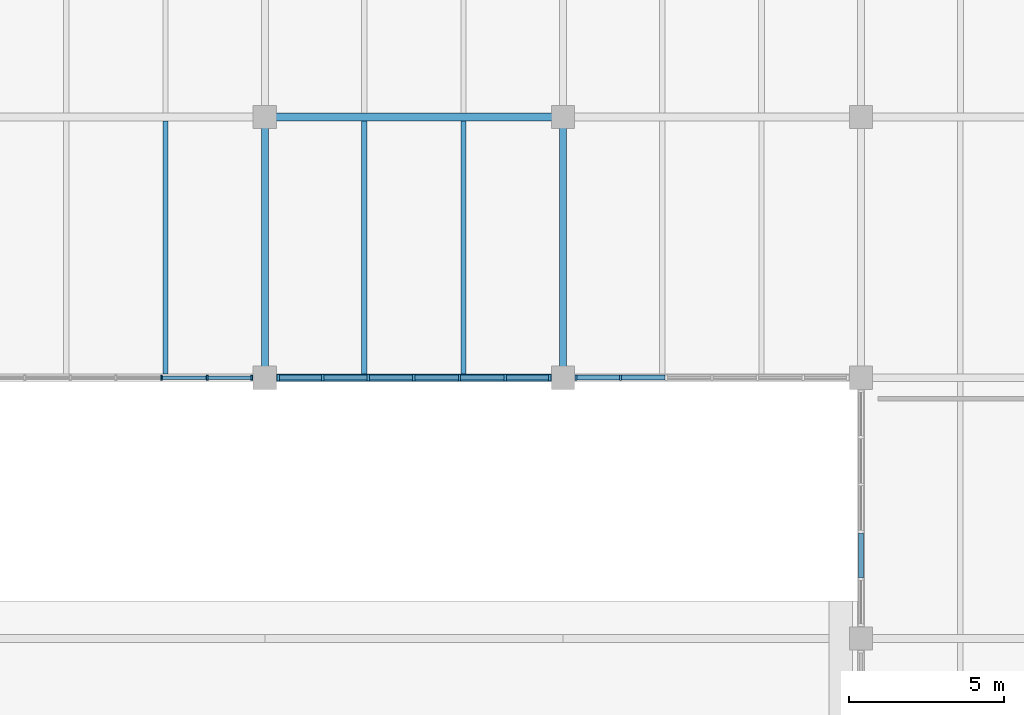
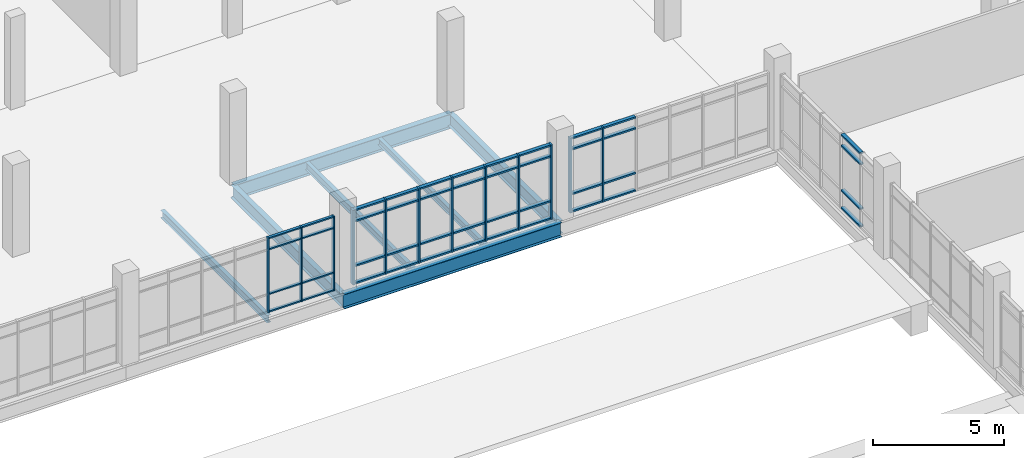
# One storey, part 27 of 86: 56 members, 7 beams, 4 elements without a shape of their own.
"""IFC4 building model written with IfcOpenShell, lengths in metres."""

from ifc_helpers import new_model, si_unit, direction, frame, origin, origin_2d, place, context, subcontext, project, spatial, rectangle, i_section, extrude, material, material_profile, profile_set, type_object, element, aggregate, save


model = new_model("IFC4")

# Units and contexts
model_context = context("Model", 3, precision=1e-05, world=origin(), true_north=direction((0.0, 1.0)))
body_context = subcontext(model_context, "Body", "Model", "MODEL_VIEW")
ifc_project = project(units=[si_unit("LENGTHUNIT", "METRE"), si_unit("AREAUNIT", "SQUARE_METRE"), si_unit("VOLUMEUNIT", "CUBIC_METRE"), si_unit("PLANEANGLEUNIT", "RADIAN"), si_unit("MASSUNIT", "GRAM", prefix="KILO")], contexts=[model_context])

# Site, building, storey
site_placement = place(None, origin())
site = spatial("IfcSite", under=ifc_project, at=site_placement, CompositionType="ELEMENT")
building_placement = place(site_placement, origin())
building = spatial("IfcBuilding", under=site, at=building_placement, Name="Oolite Switchyard Hospital", CompositionType="ELEMENT")
storey_placement = place(building_placement, frame((0.0, 0.0, 13.5)))
storey = spatial("IfcBuildingStorey", under=building, at=storey_placement, Name="L03", CompositionType="ELEMENT", Elevation=13.5)

# Beams
ifc_material_1 = material(Name="Steel ASTM A992 Grade 50", Category="steel")
ifc_material_profile_1 = material_profile(ifc_material_1, i_section(OverallWidth=0.1650390625, OverallDepth=0.31005859375, WebThickness=0.006103515625, FlangeThickness=0.010009765625, at=origin_2d()), Name="W12X26")
ifc_profile_set_1 = profile_set([ifc_material_profile_1], Name="Steel ASTM A992 Grade 50")
beam_type_1 = type_object("IfcBeamType", Name="BM-W12X26", PredefinedType="JOIST", material=ifc_profile_set_1)
beam_placement = place(storey_placement, frame((169.60009765625, 58.927001953125, -0.429931640625), z_axis=(0.0, 1.0, 0.0), x_axis=(-1.0, 0.0, 0.0)))
element("IfcBeam", 1, at=beam_placement, inside=storey, type_object=beam_type_1, Name="L03 Secondary Steel Joist 2663", PredefinedType="JOIST", context=body_context, shape_type="SweptSolid", body=[
    extrude(i_section(OverallWidth=0.1650390625, OverallDepth=0.31005859375, WebThickness=0.006103515625, FlangeThickness=0.010009765625, at=origin_2d()), origin(), (0.0, 0.0, 1.0), 8.14599609375),
])
ifc_material_profile_2 = material_profile(ifc_material_1, i_section(OverallWidth=0.1708984375, OverallDepth=0.35107421875, WebThickness=0.007080078125, FlangeThickness=0.010009765625, at=origin_2d()), Name="W14X30")
ifc_profile_set_2 = profile_set([ifc_material_profile_2], Name="Steel ASTM A992 Grade 50")
beam_type_2 = type_object("IfcBeamType", Name="BM-W14X30", PredefinedType="JOIST", material=ifc_profile_set_2)
for number, where, z_axis, x_axis, name in (
    (2, (160.0, 58.927001953125, -0.449951171875), (0.0, 1.0, 0.0), (-1.0, 0.0, 0.0), "L03 Secondary Steel Joist 2643"),
    (3, (166.39990234375, 58.927001953125, -0.449951171875), (0.0, 1.0, 0.0), (-1.0, 0.0, 0.0), "L03 Secondary Steel Joist 2662"),
):
    element("IfcBeam", number, at=place(storey_placement, frame(where, z_axis=z_axis, x_axis=x_axis)), inside=storey, type_object=beam_type_2, Name=name, PredefinedType="JOIST", context=body_context, shape_type="SweptSolid", body=[
        extrude(i_section(OverallWidth=0.1708984375, OverallDepth=0.35107421875, WebThickness=0.007080078125, FlangeThickness=0.010009765625, at=origin_2d()), origin(), (0.0, 0.0, 1.0), 8.14599609375),
    ])
ifc_material_profile_3 = material_profile(ifc_material_1, i_section(OverallWidth=0.22900390625, OverallDepth=0.612060546875, WebThickness=0.011962890625, FlangeThickness=0.02001953125, at=origin_2d()), Name="W24X84")
ifc_profile_set_3 = profile_set([ifc_material_profile_3], Name="Steel ASTM A992 Grade 50")
beam_type_3 = type_object("IfcBeamType", Name="BM-W24X84", PredefinedType="BEAM", material=ifc_profile_set_3)
for number, where, z_axis, x_axis, name in (
    (4, (163.199951171875, 58.800048828125, -0.5810546875), (0.0, 1.0, 0.0), (-1.0, 0.0, 0.0), "L03 Y-Girder 2326"),
    (5, (172.800048828125, 58.800048828125, -0.5810546875), (0.0, 1.0, 0.0), (-1.0, 0.0, 0.0), "L03 Y-Girder 2337"),
):
    element("IfcBeam", number, at=place(storey_placement, frame(where, z_axis=z_axis, x_axis=x_axis)), inside=storey, type_object=beam_type_3, Name=name, PredefinedType="BEAM", context=body_context, shape_type="SweptSolid", body=[
        extrude(i_section(OverallWidth=0.22900390625, OverallDepth=0.612060546875, WebThickness=0.011962890625, FlangeThickness=0.02001953125, at=origin_2d()), origin(), (0.0, 0.0, 1.0), 8.39990234375),
    ])
ifc_material_profile_4 = material_profile(ifc_material_1, i_section(OverallWidth=0.25390625, OverallDepth=0.68408203125, WebThickness=0.011962890625, FlangeThickness=0.01904296875, at=origin_2d()), Name="W27X94")
ifc_profile_set_4 = profile_set([ifc_material_profile_4], Name="Steel ASTM A992 Grade 50")
beam_type_4 = type_object("IfcBeamType", Name="BM-W27X94", PredefinedType="BEAM", material=ifc_profile_set_4)
for number, where, z_axis, x_axis, name in (
    (6, (163.199951171875, 58.800048828125, -0.616943359375), (1.0, 0.0, 0.0), (0.0, 1.0, 0.0), "L03 X-Girder 2002"),
    (7, (163.199951171875, 67.199951171875, -0.616943359375), (1.0, 0.0, 0.0), (0.0, 1.0, 0.0), "L03 X-Girder 2018"),
):
    element("IfcBeam", number, at=place(storey_placement, frame(where, z_axis=z_axis, x_axis=x_axis)), inside=storey, type_object=beam_type_4, Name=name, PredefinedType="BEAM", context=body_context, shape_type="SweptSolid", body=[
        extrude(i_section(OverallWidth=0.25390625, OverallDepth=0.68408203125, WebThickness=0.011962890625, FlangeThickness=0.01904296875, at=origin_2d()), origin(), (0.0, 0.0, 1.0), 9.60009765625),
    ])

# Curtain wall, members
ifc_material_2 = material(Name="Thermally broken aluminum frame with laminated impact glazing", Category="aluminium")
curtain_wall_type_1 = type_object("IfcCurtainWallType", Name="CW-UNIT-96X43", PredefinedType="USERDEFINED", material=ifc_material_2)
curtain_wall_1_placement = place(storey_placement, origin())
curtain_wall_1 = element("IfcCurtainWall", 8, at=curtain_wall_1_placement, inside=storey, type_object=curtain_wall_type_1, Name="L03 Unitised Curtain Wall 336", ObjectType="UNITISED", PredefinedType="USERDEFINED")
ifc_material_3 = material(Name="Aluminium 6063-T6", Category="aluminium")
ifc_material_profile_5 = material_profile(ifc_material_3, rectangle(XDim=0.159912109375, YDim=0.06005859375, at=origin_2d()), Name="CWM60X160")
ifc_profile_set_5 = profile_set([ifc_material_profile_5], Name="Aluminium 6063-T6")
member_type_1 = type_object("IfcMemberType", Name="CW-MUL-180", PredefinedType="MULLION", material=ifc_profile_set_5)
member_1_placement = place(storey_placement, frame((162.780029296875, 58.800048828125, 0.0), z_axis=(0.0, 0.0, 1.0), x_axis=(0.0, -1.0, 0.0)))
member_1 = element("IfcMember", 9, at=member_1_placement, type_object=member_type_1, Name="CW-04 mullion 1", PredefinedType="MULLION", context=body_context, shape_type="SweptSolid", body=[
    extrude(rectangle(XDim=0.159912109375, YDim=0.06005859375, at=origin_2d()), origin(), (0.0, 0.0, 1.0), 3.489990234375),
])
member_2_placement = place(storey_placement, frame((161.340087890625, 58.800048828125, 0.0), z_axis=(0.0, 0.0, 1.0), x_axis=(0.0, -1.0, 0.0)))
member_2 = element("IfcMember", 10, at=member_2_placement, type_object=member_type_1, Name="CW-04 mullion 2", PredefinedType="MULLION", context=body_context, shape_type="SweptSolid", body=[
    extrude(rectangle(XDim=0.159912109375, YDim=0.06005859375, at=origin_2d()), origin(), (0.0, 0.0, 1.0), 3.489990234375),
])
member_3_placement = place(storey_placement, frame((159.8701171875, 58.800048828125, 0.0), z_axis=(0.0, 0.0, 1.0), x_axis=(0.0, -1.0, 0.0)))
member_3 = element("IfcMember", 11, at=member_3_placement, type_object=member_type_1, Name="CW-04 mullion 3", PredefinedType="MULLION", context=body_context, shape_type="SweptSolid", body=[
    extrude(rectangle(XDim=0.159912109375, YDim=0.06005859375, at=origin_2d()), origin(), (0.0, 0.0, 1.0), 3.489990234375),
])

curtain_wall_2_placement = place(storey_placement, origin())
curtain_wall_2 = element("IfcCurtainWall", 12, at=curtain_wall_2_placement, inside=storey, type_object=curtain_wall_type_1, Name="L03 Unitised Curtain Wall 337", ObjectType="UNITISED", PredefinedType="USERDEFINED")
ifc_material_profile_6 = material_profile(ifc_material_3, rectangle(XDim=0.179931640625, YDim=0.070068359375, at=origin_2d()), Name="CWM70X180")
ifc_profile_set_6 = profile_set([ifc_material_profile_6], Name="Aluminium 6063-T6")
member_type_2 = type_object("IfcMemberType", Name="CW-MUL-220", PredefinedType="MULLION", material=ifc_profile_set_6)
member_4_placement = place(storey_placement, frame((174.659912109375, 58.800048828125, 0.0), z_axis=(0.0, 0.0, 1.0), x_axis=(0.0, -1.0, 0.0)))
member_4 = element("IfcMember", 13, at=member_4_placement, type_object=member_type_2, Name="CW-04 mullion 6", PredefinedType="MULLION", context=body_context, shape_type="SweptSolid", body=[
    extrude(rectangle(XDim=0.179931640625, YDim=0.070068359375, at=origin_2d()), origin(), (0.0, 0.0, 1.0), 3.489990234375),
])
member_5_placement = place(storey_placement, frame((173.22509765625, 58.800048828125, 0.0), z_axis=(0.0, 0.0, 1.0), x_axis=(0.0, -1.0, 0.0)))
member_5 = element("IfcMember", 14, at=member_5_placement, type_object=member_type_2, Name="CW-04 mullion 7", PredefinedType="MULLION", context=body_context, shape_type="SweptSolid", body=[
    extrude(rectangle(XDim=0.179931640625, YDim=0.070068359375, at=origin_2d()), origin(), (0.0, 0.0, 1.0), 3.489990234375),
])

curtain_wall_3_placement = place(storey_placement, origin())
curtain_wall_3 = element("IfcCurtainWall", 15, at=curtain_wall_3_placement, inside=storey, type_object=curtain_wall_type_1, Name="L03 Unitised Curtain Wall 335", ObjectType="UNITISED", PredefinedType="USERDEFINED")
ifc_material_profile_7 = material_profile(ifc_material_3, rectangle(XDim=0.199951171875, YDim=0.074951171875, at=origin_2d()), Name="CWM75X200")
ifc_profile_set_7 = profile_set([ifc_material_profile_7], Name="Aluminium 6063-T6")
member_type_3 = type_object("IfcMemberType", Name="CW-MUL-260", PredefinedType="MULLION", material=ifc_profile_set_7)
member_6_placement = place(storey_placement, frame((172.37255859375, 58.800048828125, 0.0), z_axis=(0.0, 0.0, 1.0), x_axis=(0.0, -1.0, 0.0)))
member_6 = element("IfcMember", 16, at=member_6_placement, type_object=member_type_3, Name="CW-04 mullion 1", PredefinedType="MULLION", context=body_context, shape_type="SweptSolid", body=[
    extrude(rectangle(XDim=0.199951171875, YDim=0.074951171875, at=origin_2d()), origin(), (0.0, 0.0, 1.0), 3.489990234375),
])
member_7_placement = place(storey_placement, frame((170.93994140625, 58.800048828125, 0.0), z_axis=(0.0, 0.0, 1.0), x_axis=(0.0, -1.0, 0.0)))
member_7 = element("IfcMember", 17, at=member_7_placement, type_object=member_type_3, Name="CW-04 mullion 2", PredefinedType="MULLION", context=body_context, shape_type="SweptSolid", body=[
    extrude(rectangle(XDim=0.199951171875, YDim=0.074951171875, at=origin_2d()), origin(), (0.0, 0.0, 1.0), 3.489990234375),
])
member_8_placement = place(storey_placement, frame((169.469970703125, 58.800048828125, 0.0), z_axis=(0.0, 0.0, 1.0), x_axis=(0.0, -1.0, 0.0)))
member_8 = element("IfcMember", 18, at=member_8_placement, type_object=member_type_3, Name="CW-04 mullion 3", PredefinedType="MULLION", context=body_context, shape_type="SweptSolid", body=[
    extrude(rectangle(XDim=0.199951171875, YDim=0.074951171875, at=origin_2d()), origin(), (0.0, 0.0, 1.0), 3.489990234375),
])
member_9_placement = place(storey_placement, frame((168.0, 58.800048828125, 0.0), z_axis=(0.0, 0.0, 1.0), x_axis=(0.0, -1.0, 0.0)))
member_9 = element("IfcMember", 19, at=member_9_placement, type_object=member_type_3, Name="CW-04 mullion 4", PredefinedType="MULLION", context=body_context, shape_type="SweptSolid", body=[
    extrude(rectangle(XDim=0.199951171875, YDim=0.074951171875, at=origin_2d()), origin(), (0.0, 0.0, 1.0), 3.489990234375),
])
member_10_placement = place(storey_placement, frame((166.530029296875, 58.800048828125, 0.0), z_axis=(0.0, 0.0, 1.0), x_axis=(0.0, -1.0, 0.0)))
member_10 = element("IfcMember", 20, at=member_10_placement, type_object=member_type_3, Name="CW-04 mullion 5", PredefinedType="MULLION", context=body_context, shape_type="SweptSolid", body=[
    extrude(rectangle(XDim=0.199951171875, YDim=0.074951171875, at=origin_2d()), origin(), (0.0, 0.0, 1.0), 3.489990234375),
])
member_11_placement = place(storey_placement, frame((165.06005859375, 58.800048828125, 0.0), z_axis=(0.0, 0.0, 1.0), x_axis=(0.0, -1.0, 0.0)))
member_11 = element("IfcMember", 21, at=member_11_placement, type_object=member_type_3, Name="CW-04 mullion 6", PredefinedType="MULLION", context=body_context, shape_type="SweptSolid", body=[
    extrude(rectangle(XDim=0.199951171875, YDim=0.074951171875, at=origin_2d()), origin(), (0.0, 0.0, 1.0), 3.489990234375),
])
member_12_placement = place(storey_placement, frame((163.62744140625, 58.800048828125, 0.0), z_axis=(0.0, 0.0, 1.0), x_axis=(0.0, -1.0, 0.0)))
member_12 = element("IfcMember", 22, at=member_12_placement, type_object=member_type_3, Name="CW-04 mullion 7", PredefinedType="MULLION", context=body_context, shape_type="SweptSolid", body=[
    extrude(rectangle(XDim=0.199951171875, YDim=0.074951171875, at=origin_2d()), origin(), (0.0, 0.0, 1.0), 3.489990234375),
])

# Member
ifc_material_profile_8 = material_profile(ifc_material_3, rectangle(XDim=0.1201171875, YDim=0.06005859375, at=origin_2d()), Name="CWT60X120")
ifc_profile_set_8 = profile_set([ifc_material_profile_8], Name="Aluminium 6063-T6")
member_type_4 = type_object("IfcMemberType", Name="CW-TRN-150", PredefinedType="USERDEFINED", material=ifc_profile_set_8)
member_13_placement = place(storey_placement, frame((162.75, 58.800048828125, 0.030029296875), z_axis=(-1.0, 0.0, 0.0), x_axis=(0.0, -1.0, 0.0)))
member_13 = element("IfcMember", 23, at=member_13_placement, type_object=member_type_4, Name="CW-04 transom 1.1", ObjectType="TRANSOM", PredefinedType="USERDEFINED", context=body_context, shape_type="SweptSolid", body=[
    extrude(rectangle(XDim=0.1201171875, YDim=0.06005859375, at=origin_2d()), origin(), (0.0, 0.0, 1.0), 1.3798828125),
])

member_14_placement = place(storey_placement, frame((162.75, 58.800048828125, 0.85009765625), z_axis=(-1.0, 0.0, 0.0), x_axis=(0.0, -1.0, 0.0)))
member_14 = element("IfcMember", 24, at=member_14_placement, type_object=member_type_4, Name="CW-04 transom 1.2", ObjectType="TRANSOM", PredefinedType="USERDEFINED", context=body_context, shape_type="SweptSolid", body=[
    extrude(rectangle(XDim=0.1201171875, YDim=0.06005859375, at=origin_2d()), origin(), (0.0, 0.0, 1.0), 1.3798828125),
])

member_15_placement = place(storey_placement, frame((162.75, 58.800048828125, 2.93994140625), z_axis=(-1.0, 0.0, 0.0), x_axis=(0.0, -1.0, 0.0)))
member_15 = element("IfcMember", 25, at=member_15_placement, type_object=member_type_4, Name="CW-04 transom 1.3", ObjectType="TRANSOM", PredefinedType="USERDEFINED", context=body_context, shape_type="SweptSolid", body=[
    extrude(rectangle(XDim=0.1201171875, YDim=0.06005859375, at=origin_2d()), origin(), (0.0, 0.0, 1.0), 1.3798828125),
])

member_16_placement = place(storey_placement, frame((162.75, 58.800048828125, 3.4599609375), z_axis=(-1.0, 0.0, 0.0), x_axis=(0.0, -1.0, 0.0)))
member_16 = element("IfcMember", 26, at=member_16_placement, type_object=member_type_4, Name="CW-04 transom 1.4", ObjectType="TRANSOM", PredefinedType="USERDEFINED", context=body_context, shape_type="SweptSolid", body=[
    extrude(rectangle(XDim=0.1201171875, YDim=0.06005859375, at=origin_2d()), origin(), (0.0, 0.0, 1.0), 1.3798828125),
])

member_17_placement = place(storey_placement, frame((161.31005859375, 58.800048828125, 0.030029296875), z_axis=(-1.0, 0.0, 0.0), x_axis=(0.0, -1.0, 0.0)))
member_17 = element("IfcMember", 27, at=member_17_placement, type_object=member_type_4, Name="CW-04 transom 2.1", ObjectType="TRANSOM", PredefinedType="USERDEFINED", context=body_context, shape_type="SweptSolid", body=[
    extrude(rectangle(XDim=0.1201171875, YDim=0.06005859375, at=origin_2d()), origin(), (0.0, 0.0, 1.0), 1.41015625),
])

member_18_placement = place(storey_placement, frame((161.31005859375, 58.800048828125, 0.85009765625), z_axis=(-1.0, 0.0, 0.0), x_axis=(0.0, -1.0, 0.0)))
member_18 = element("IfcMember", 28, at=member_18_placement, type_object=member_type_4, Name="CW-04 transom 2.2", ObjectType="TRANSOM", PredefinedType="USERDEFINED", context=body_context, shape_type="SweptSolid", body=[
    extrude(rectangle(XDim=0.1201171875, YDim=0.06005859375, at=origin_2d()), origin(), (0.0, 0.0, 1.0), 1.41015625),
])

member_19_placement = place(storey_placement, frame((161.31005859375, 58.800048828125, 2.93994140625), z_axis=(-1.0, 0.0, 0.0), x_axis=(0.0, -1.0, 0.0)))
member_19 = element("IfcMember", 29, at=member_19_placement, type_object=member_type_4, Name="CW-04 transom 2.3", ObjectType="TRANSOM", PredefinedType="USERDEFINED", context=body_context, shape_type="SweptSolid", body=[
    extrude(rectangle(XDim=0.1201171875, YDim=0.06005859375, at=origin_2d()), origin(), (0.0, 0.0, 1.0), 1.41015625),
])

member_20_placement = place(storey_placement, frame((161.31005859375, 58.800048828125, 3.4599609375), z_axis=(-1.0, 0.0, 0.0), x_axis=(0.0, -1.0, 0.0)))
member_20 = element("IfcMember", 30, at=member_20_placement, type_object=member_type_4, Name="CW-04 transom 2.4", ObjectType="TRANSOM", PredefinedType="USERDEFINED", context=body_context, shape_type="SweptSolid", body=[
    extrude(rectangle(XDim=0.1201171875, YDim=0.06005859375, at=origin_2d()), origin(), (0.0, 0.0, 1.0), 1.41015625),
])

aggregate(curtain_wall_1, [member_1, member_2, member_3, member_13, member_14, member_15, member_16, member_17, member_18, member_19, member_20])

ifc_material_profile_9 = material_profile(ifc_material_3, rectangle(XDim=0.159912109375, YDim=0.074951171875, at=origin_2d()), Name="CWT75X160")
ifc_profile_set_9 = profile_set([ifc_material_profile_9], Name="Aluminium 6063-T6")
member_type_5 = type_object("IfcMemberType", Name="CW-TRN-180", PredefinedType="USERDEFINED", material=ifc_profile_set_9)
member_21_placement = place(storey_placement, frame((172.3349609375, 58.800048828125, 0.03759765625), z_axis=(-1.0, 0.0, 0.0), x_axis=(0.0, -1.0, 0.0)))
member_21 = element("IfcMember", 31, at=member_21_placement, type_object=member_type_5, Name="CW-04 transom 1.1", ObjectType="TRANSOM", PredefinedType="USERDEFINED", context=body_context, shape_type="SweptSolid", body=[
    extrude(rectangle(XDim=0.159912109375, YDim=0.074951171875, at=origin_2d()), origin(), (0.0, 0.0, 1.0), 1.357421875),
])

member_22_placement = place(storey_placement, frame((172.3349609375, 58.800048828125, 0.85009765625), z_axis=(-1.0, 0.0, 0.0), x_axis=(0.0, -1.0, 0.0)))
member_22 = element("IfcMember", 32, at=member_22_placement, type_object=member_type_5, Name="CW-04 transom 1.2", ObjectType="TRANSOM", PredefinedType="USERDEFINED", context=body_context, shape_type="SweptSolid", body=[
    extrude(rectangle(XDim=0.159912109375, YDim=0.074951171875, at=origin_2d()), origin(), (0.0, 0.0, 1.0), 1.357421875),
])

member_23_placement = place(storey_placement, frame((172.3349609375, 58.800048828125, 2.93994140625), z_axis=(-1.0, 0.0, 0.0), x_axis=(0.0, -1.0, 0.0)))
member_23 = element("IfcMember", 33, at=member_23_placement, type_object=member_type_5, Name="CW-04 transom 1.3", ObjectType="TRANSOM", PredefinedType="USERDEFINED", context=body_context, shape_type="SweptSolid", body=[
    extrude(rectangle(XDim=0.159912109375, YDim=0.074951171875, at=origin_2d()), origin(), (0.0, 0.0, 1.0), 1.357421875),
])

member_24_placement = place(storey_placement, frame((172.3349609375, 58.800048828125, 3.452392578125), z_axis=(-1.0, 0.0, 0.0), x_axis=(0.0, -1.0, 0.0)))
member_24 = element("IfcMember", 34, at=member_24_placement, type_object=member_type_5, Name="CW-04 transom 1.4", ObjectType="TRANSOM", PredefinedType="USERDEFINED", context=body_context, shape_type="SweptSolid", body=[
    extrude(rectangle(XDim=0.159912109375, YDim=0.074951171875, at=origin_2d()), origin(), (0.0, 0.0, 1.0), 1.357421875),
])

member_25_placement = place(storey_placement, frame((170.902587890625, 58.800048828125, 0.03759765625), z_axis=(-1.0, 0.0, 0.0), x_axis=(0.0, -1.0, 0.0)))
member_25 = element("IfcMember", 35, at=member_25_placement, type_object=member_type_5, Name="CW-04 transom 2.1", ObjectType="TRANSOM", PredefinedType="USERDEFINED", context=body_context, shape_type="SweptSolid", body=[
    extrude(rectangle(XDim=0.159912109375, YDim=0.074951171875, at=origin_2d()), origin(), (0.0, 0.0, 1.0), 1.39501953125),
])

member_26_placement = place(storey_placement, frame((170.902587890625, 58.800048828125, 0.85009765625), z_axis=(-1.0, 0.0, 0.0), x_axis=(0.0, -1.0, 0.0)))
member_26 = element("IfcMember", 36, at=member_26_placement, type_object=member_type_5, Name="CW-04 transom 2.2", ObjectType="TRANSOM", PredefinedType="USERDEFINED", context=body_context, shape_type="SweptSolid", body=[
    extrude(rectangle(XDim=0.159912109375, YDim=0.074951171875, at=origin_2d()), origin(), (0.0, 0.0, 1.0), 1.39501953125),
])

member_27_placement = place(storey_placement, frame((170.902587890625, 58.800048828125, 2.93994140625), z_axis=(-1.0, 0.0, 0.0), x_axis=(0.0, -1.0, 0.0)))
member_27 = element("IfcMember", 37, at=member_27_placement, type_object=member_type_5, Name="CW-04 transom 2.3", ObjectType="TRANSOM", PredefinedType="USERDEFINED", context=body_context, shape_type="SweptSolid", body=[
    extrude(rectangle(XDim=0.159912109375, YDim=0.074951171875, at=origin_2d()), origin(), (0.0, 0.0, 1.0), 1.39501953125),
])

member_28_placement = place(storey_placement, frame((170.902587890625, 58.800048828125, 3.452392578125), z_axis=(-1.0, 0.0, 0.0), x_axis=(0.0, -1.0, 0.0)))
member_28 = element("IfcMember", 38, at=member_28_placement, type_object=member_type_5, Name="CW-04 transom 2.4", ObjectType="TRANSOM", PredefinedType="USERDEFINED", context=body_context, shape_type="SweptSolid", body=[
    extrude(rectangle(XDim=0.159912109375, YDim=0.074951171875, at=origin_2d()), origin(), (0.0, 0.0, 1.0), 1.39501953125),
])

member_29_placement = place(storey_placement, frame((169.4326171875, 58.800048828125, 0.03759765625), z_axis=(-1.0, 0.0, 0.0), x_axis=(0.0, -1.0, 0.0)))
member_29 = element("IfcMember", 39, at=member_29_placement, type_object=member_type_5, Name="CW-04 transom 3.1", ObjectType="TRANSOM", PredefinedType="USERDEFINED", context=body_context, shape_type="SweptSolid", body=[
    extrude(rectangle(XDim=0.159912109375, YDim=0.074951171875, at=origin_2d()), origin(), (0.0, 0.0, 1.0), 1.39501953125),
])

member_30_placement = place(storey_placement, frame((169.4326171875, 58.800048828125, 0.85009765625), z_axis=(-1.0, 0.0, 0.0), x_axis=(0.0, -1.0, 0.0)))
member_30 = element("IfcMember", 40, at=member_30_placement, type_object=member_type_5, Name="CW-04 transom 3.2", ObjectType="TRANSOM", PredefinedType="USERDEFINED", context=body_context, shape_type="SweptSolid", body=[
    extrude(rectangle(XDim=0.159912109375, YDim=0.074951171875, at=origin_2d()), origin(), (0.0, 0.0, 1.0), 1.39501953125),
])

member_31_placement = place(storey_placement, frame((169.4326171875, 58.800048828125, 2.93994140625), z_axis=(-1.0, 0.0, 0.0), x_axis=(0.0, -1.0, 0.0)))
member_31 = element("IfcMember", 41, at=member_31_placement, type_object=member_type_5, Name="CW-04 transom 3.3", ObjectType="TRANSOM", PredefinedType="USERDEFINED", context=body_context, shape_type="SweptSolid", body=[
    extrude(rectangle(XDim=0.159912109375, YDim=0.074951171875, at=origin_2d()), origin(), (0.0, 0.0, 1.0), 1.39501953125),
])

member_32_placement = place(storey_placement, frame((169.4326171875, 58.800048828125, 3.452392578125), z_axis=(-1.0, 0.0, 0.0), x_axis=(0.0, -1.0, 0.0)))
member_32 = element("IfcMember", 42, at=member_32_placement, type_object=member_type_5, Name="CW-04 transom 3.4", ObjectType="TRANSOM", PredefinedType="USERDEFINED", context=body_context, shape_type="SweptSolid", body=[
    extrude(rectangle(XDim=0.159912109375, YDim=0.074951171875, at=origin_2d()), origin(), (0.0, 0.0, 1.0), 1.39501953125),
])

member_33_placement = place(storey_placement, frame((167.96240234375, 58.800048828125, 0.03759765625), z_axis=(-1.0, 0.0, 0.0), x_axis=(0.0, -1.0, 0.0)))
member_33 = element("IfcMember", 43, at=member_33_placement, type_object=member_type_5, Name="CW-04 transom 4.1", ObjectType="TRANSOM", PredefinedType="USERDEFINED", context=body_context, shape_type="SweptSolid", body=[
    extrude(rectangle(XDim=0.159912109375, YDim=0.074951171875, at=origin_2d()), origin(), (0.0, 0.0, 1.0), 1.39501953125),
])

member_34_placement = place(storey_placement, frame((167.96240234375, 58.800048828125, 0.85009765625), z_axis=(-1.0, 0.0, 0.0), x_axis=(0.0, -1.0, 0.0)))
member_34 = element("IfcMember", 44, at=member_34_placement, type_object=member_type_5, Name="CW-04 transom 4.2", ObjectType="TRANSOM", PredefinedType="USERDEFINED", context=body_context, shape_type="SweptSolid", body=[
    extrude(rectangle(XDim=0.159912109375, YDim=0.074951171875, at=origin_2d()), origin(), (0.0, 0.0, 1.0), 1.39501953125),
])

member_35_placement = place(storey_placement, frame((167.96240234375, 58.800048828125, 2.93994140625), z_axis=(-1.0, 0.0, 0.0), x_axis=(0.0, -1.0, 0.0)))
member_35 = element("IfcMember", 45, at=member_35_placement, type_object=member_type_5, Name="CW-04 transom 4.3", ObjectType="TRANSOM", PredefinedType="USERDEFINED", context=body_context, shape_type="SweptSolid", body=[
    extrude(rectangle(XDim=0.159912109375, YDim=0.074951171875, at=origin_2d()), origin(), (0.0, 0.0, 1.0), 1.39501953125),
])

member_36_placement = place(storey_placement, frame((167.96240234375, 58.800048828125, 3.452392578125), z_axis=(-1.0, 0.0, 0.0), x_axis=(0.0, -1.0, 0.0)))
member_36 = element("IfcMember", 46, at=member_36_placement, type_object=member_type_5, Name="CW-04 transom 4.4", ObjectType="TRANSOM", PredefinedType="USERDEFINED", context=body_context, shape_type="SweptSolid", body=[
    extrude(rectangle(XDim=0.159912109375, YDim=0.074951171875, at=origin_2d()), origin(), (0.0, 0.0, 1.0), 1.39501953125),
])

member_37_placement = place(storey_placement, frame((166.492431640625, 58.800048828125, 0.03759765625), z_axis=(-1.0, 0.0, 0.0), x_axis=(0.0, -1.0, 0.0)))
member_37 = element("IfcMember", 47, at=member_37_placement, type_object=member_type_5, Name="CW-04 transom 5.1", ObjectType="TRANSOM", PredefinedType="USERDEFINED", context=body_context, shape_type="SweptSolid", body=[
    extrude(rectangle(XDim=0.159912109375, YDim=0.074951171875, at=origin_2d()), origin(), (0.0, 0.0, 1.0), 1.39501953125),
])

member_38_placement = place(storey_placement, frame((166.492431640625, 58.800048828125, 0.85009765625), z_axis=(-1.0, 0.0, 0.0), x_axis=(0.0, -1.0, 0.0)))
member_38 = element("IfcMember", 48, at=member_38_placement, type_object=member_type_5, Name="CW-04 transom 5.2", ObjectType="TRANSOM", PredefinedType="USERDEFINED", context=body_context, shape_type="SweptSolid", body=[
    extrude(rectangle(XDim=0.159912109375, YDim=0.074951171875, at=origin_2d()), origin(), (0.0, 0.0, 1.0), 1.39501953125),
])

member_39_placement = place(storey_placement, frame((166.492431640625, 58.800048828125, 2.93994140625), z_axis=(-1.0, 0.0, 0.0), x_axis=(0.0, -1.0, 0.0)))
member_39 = element("IfcMember", 49, at=member_39_placement, type_object=member_type_5, Name="CW-04 transom 5.3", ObjectType="TRANSOM", PredefinedType="USERDEFINED", context=body_context, shape_type="SweptSolid", body=[
    extrude(rectangle(XDim=0.159912109375, YDim=0.074951171875, at=origin_2d()), origin(), (0.0, 0.0, 1.0), 1.39501953125),
])

member_40_placement = place(storey_placement, frame((166.492431640625, 58.800048828125, 3.452392578125), z_axis=(-1.0, 0.0, 0.0), x_axis=(0.0, -1.0, 0.0)))
member_40 = element("IfcMember", 50, at=member_40_placement, type_object=member_type_5, Name="CW-04 transom 5.4", ObjectType="TRANSOM", PredefinedType="USERDEFINED", context=body_context, shape_type="SweptSolid", body=[
    extrude(rectangle(XDim=0.159912109375, YDim=0.074951171875, at=origin_2d()), origin(), (0.0, 0.0, 1.0), 1.39501953125),
])

member_41_placement = place(storey_placement, frame((165.0224609375, 58.800048828125, 0.03759765625), z_axis=(-1.0, 0.0, 0.0), x_axis=(0.0, -1.0, 0.0)))
member_41 = element("IfcMember", 51, at=member_41_placement, type_object=member_type_5, Name="CW-04 transom 6.1", ObjectType="TRANSOM", PredefinedType="USERDEFINED", context=body_context, shape_type="SweptSolid", body=[
    extrude(rectangle(XDim=0.159912109375, YDim=0.074951171875, at=origin_2d()), origin(), (0.0, 0.0, 1.0), 1.357421875),
])

member_42_placement = place(storey_placement, frame((165.0224609375, 58.800048828125, 0.85009765625), z_axis=(-1.0, 0.0, 0.0), x_axis=(0.0, -1.0, 0.0)))
member_42 = element("IfcMember", 52, at=member_42_placement, type_object=member_type_5, Name="CW-04 transom 6.2", ObjectType="TRANSOM", PredefinedType="USERDEFINED", context=body_context, shape_type="SweptSolid", body=[
    extrude(rectangle(XDim=0.159912109375, YDim=0.074951171875, at=origin_2d()), origin(), (0.0, 0.0, 1.0), 1.357421875),
])

member_43_placement = place(storey_placement, frame((165.0224609375, 58.800048828125, 2.93994140625), z_axis=(-1.0, 0.0, 0.0), x_axis=(0.0, -1.0, 0.0)))
member_43 = element("IfcMember", 53, at=member_43_placement, type_object=member_type_5, Name="CW-04 transom 6.3", ObjectType="TRANSOM", PredefinedType="USERDEFINED", context=body_context, shape_type="SweptSolid", body=[
    extrude(rectangle(XDim=0.159912109375, YDim=0.074951171875, at=origin_2d()), origin(), (0.0, 0.0, 1.0), 1.357421875),
])

member_44_placement = place(storey_placement, frame((165.0224609375, 58.800048828125, 3.452392578125), z_axis=(-1.0, 0.0, 0.0), x_axis=(0.0, -1.0, 0.0)))
member_44 = element("IfcMember", 54, at=member_44_placement, type_object=member_type_5, Name="CW-04 transom 6.4", ObjectType="TRANSOM", PredefinedType="USERDEFINED", context=body_context, shape_type="SweptSolid", body=[
    extrude(rectangle(XDim=0.159912109375, YDim=0.074951171875, at=origin_2d()), origin(), (0.0, 0.0, 1.0), 1.357421875),
])

aggregate(curtain_wall_3, [member_6, member_7, member_8, member_9, member_10, member_11, member_12, member_21, member_22, member_23, member_24, member_25, member_26, member_27, member_28, member_29, member_30, member_31, member_32, member_33, member_34, member_35, member_36, member_37, member_38, member_39, member_40, member_41, member_42, member_43, member_44])

member_45_placement = place(storey_placement, frame((176.094970703125, 58.800048828125, 0.03759765625), z_axis=(-1.0, 0.0, 0.0), x_axis=(0.0, -1.0, 0.0)))
member_45 = element("IfcMember", 55, at=member_45_placement, type_object=member_type_5, Name="CW-04 transom 5.1", ObjectType="TRANSOM", PredefinedType="USERDEFINED", context=body_context, shape_type="SweptSolid", body=[
    extrude(rectangle(XDim=0.159912109375, YDim=0.074951171875, at=origin_2d()), origin(), (0.0, 0.0, 1.0), 1.39990234375),
])

member_46_placement = place(storey_placement, frame((176.094970703125, 58.800048828125, 0.85009765625), z_axis=(-1.0, 0.0, 0.0), x_axis=(0.0, -1.0, 0.0)))
member_46 = element("IfcMember", 56, at=member_46_placement, type_object=member_type_5, Name="CW-04 transom 5.2", ObjectType="TRANSOM", PredefinedType="USERDEFINED", context=body_context, shape_type="SweptSolid", body=[
    extrude(rectangle(XDim=0.159912109375, YDim=0.074951171875, at=origin_2d()), origin(), (0.0, 0.0, 1.0), 1.39990234375),
])

member_47_placement = place(storey_placement, frame((176.094970703125, 58.800048828125, 2.93994140625), z_axis=(-1.0, 0.0, 0.0), x_axis=(0.0, -1.0, 0.0)))
member_47 = element("IfcMember", 57, at=member_47_placement, type_object=member_type_5, Name="CW-04 transom 5.3", ObjectType="TRANSOM", PredefinedType="USERDEFINED", context=body_context, shape_type="SweptSolid", body=[
    extrude(rectangle(XDim=0.159912109375, YDim=0.074951171875, at=origin_2d()), origin(), (0.0, 0.0, 1.0), 1.39990234375),
])

member_48_placement = place(storey_placement, frame((176.094970703125, 58.800048828125, 3.452392578125), z_axis=(-1.0, 0.0, 0.0), x_axis=(0.0, -1.0, 0.0)))
member_48 = element("IfcMember", 58, at=member_48_placement, type_object=member_type_5, Name="CW-04 transom 5.4", ObjectType="TRANSOM", PredefinedType="USERDEFINED", context=body_context, shape_type="SweptSolid", body=[
    extrude(rectangle(XDim=0.159912109375, YDim=0.074951171875, at=origin_2d()), origin(), (0.0, 0.0, 1.0), 1.39990234375),
])

member_49_placement = place(storey_placement, frame((174.625, 58.800048828125, 0.03759765625), z_axis=(-1.0, 0.0, 0.0), x_axis=(0.0, -1.0, 0.0)))
member_49 = element("IfcMember", 59, at=member_49_placement, type_object=member_type_5, Name="CW-04 transom 6.1", ObjectType="TRANSOM", PredefinedType="USERDEFINED", context=body_context, shape_type="SweptSolid", body=[
    extrude(rectangle(XDim=0.159912109375, YDim=0.074951171875, at=origin_2d()), origin(), (0.0, 0.0, 1.0), 1.364990234375),
])

member_50_placement = place(storey_placement, frame((174.625, 58.800048828125, 0.85009765625), z_axis=(-1.0, 0.0, 0.0), x_axis=(0.0, -1.0, 0.0)))
member_50 = element("IfcMember", 60, at=member_50_placement, type_object=member_type_5, Name="CW-04 transom 6.2", ObjectType="TRANSOM", PredefinedType="USERDEFINED", context=body_context, shape_type="SweptSolid", body=[
    extrude(rectangle(XDim=0.159912109375, YDim=0.074951171875, at=origin_2d()), origin(), (0.0, 0.0, 1.0), 1.364990234375),
])

member_51_placement = place(storey_placement, frame((174.625, 58.800048828125, 2.93994140625), z_axis=(-1.0, 0.0, 0.0), x_axis=(0.0, -1.0, 0.0)))
member_51 = element("IfcMember", 61, at=member_51_placement, type_object=member_type_5, Name="CW-04 transom 6.3", ObjectType="TRANSOM", PredefinedType="USERDEFINED", context=body_context, shape_type="SweptSolid", body=[
    extrude(rectangle(XDim=0.159912109375, YDim=0.074951171875, at=origin_2d()), origin(), (0.0, 0.0, 1.0), 1.364990234375),
])

member_52_placement = place(storey_placement, frame((174.625, 58.800048828125, 3.452392578125), z_axis=(-1.0, 0.0, 0.0), x_axis=(0.0, -1.0, 0.0)))
member_52 = element("IfcMember", 62, at=member_52_placement, type_object=member_type_5, Name="CW-04 transom 6.4", ObjectType="TRANSOM", PredefinedType="USERDEFINED", context=body_context, shape_type="SweptSolid", body=[
    extrude(rectangle(XDim=0.159912109375, YDim=0.074951171875, at=origin_2d()), origin(), (0.0, 0.0, 1.0), 1.364990234375),
])

aggregate(curtain_wall_2, [member_4, member_5, member_45, member_46, member_47, member_48, member_49, member_50, member_51, member_52])

# Curtain wall, members
curtain_wall_type_2 = type_object("IfcCurtainWallType", Name="CW-UNIT-84X43", PredefinedType="USERDEFINED", material=ifc_material_2)
curtain_wall_4_placement = place(storey_placement, origin())
curtain_wall_4 = element("IfcCurtainWall", 63, at=curtain_wall_4_placement, inside=storey, type_object=curtain_wall_type_2, Name="L03 Unitised Curtain Wall 347", ObjectType="UNITISED", PredefinedType="USERDEFINED")
member_53_placement = place(storey_placement, frame((182.39990234375, 52.3515625, 0.03759765625), z_axis=(0.0, 1.0, 0.0), x_axis=(-1.0, 0.0, 0.0)))
member_53 = element("IfcMember", 64, at=member_53_placement, type_object=member_type_5, Name="CW-09 transom 2.1", ObjectType="TRANSOM", PredefinedType="USERDEFINED", context=body_context, shape_type="SweptSolid", body=[
    extrude(rectangle(XDim=0.159912109375, YDim=0.074951171875, at=origin_2d()), origin(), (0.0, 0.0, 1.0), 1.448974609375),
])
member_54_placement = place(storey_placement, frame((182.39990234375, 52.3515625, 0.85009765625), z_axis=(0.0, 1.0, 0.0), x_axis=(-1.0, 0.0, 0.0)))
member_54 = element("IfcMember", 65, at=member_54_placement, type_object=member_type_5, Name="CW-09 transom 2.2", ObjectType="TRANSOM", PredefinedType="USERDEFINED", context=body_context, shape_type="SweptSolid", body=[
    extrude(rectangle(XDim=0.159912109375, YDim=0.074951171875, at=origin_2d()), origin(), (0.0, 0.0, 1.0), 1.448974609375),
])
member_55_placement = place(storey_placement, frame((182.39990234375, 52.3515625, 2.93994140625), z_axis=(0.0, 1.0, 0.0), x_axis=(-1.0, 0.0, 0.0)))
member_55 = element("IfcMember", 66, at=member_55_placement, type_object=member_type_5, Name="CW-09 transom 2.3", ObjectType="TRANSOM", PredefinedType="USERDEFINED", context=body_context, shape_type="SweptSolid", body=[
    extrude(rectangle(XDim=0.159912109375, YDim=0.074951171875, at=origin_2d()), origin(), (0.0, 0.0, 1.0), 1.448974609375),
])
member_56_placement = place(storey_placement, frame((182.39990234375, 52.3515625, 3.452392578125), z_axis=(0.0, 1.0, 0.0), x_axis=(-1.0, 0.0, 0.0)))
member_56 = element("IfcMember", 67, at=member_56_placement, type_object=member_type_5, Name="CW-09 transom 2.4", ObjectType="TRANSOM", PredefinedType="USERDEFINED", context=body_context, shape_type="SweptSolid", body=[
    extrude(rectangle(XDim=0.159912109375, YDim=0.074951171875, at=origin_2d()), origin(), (0.0, 0.0, 1.0), 1.448974609375),
])
aggregate(curtain_wall_4, [member_53, member_54, member_55, member_56])

save(model, "model.ifc")
